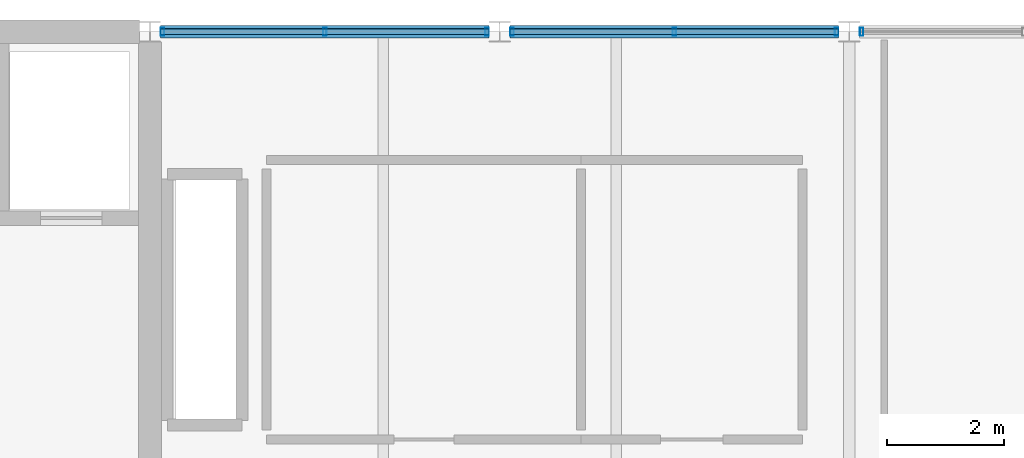
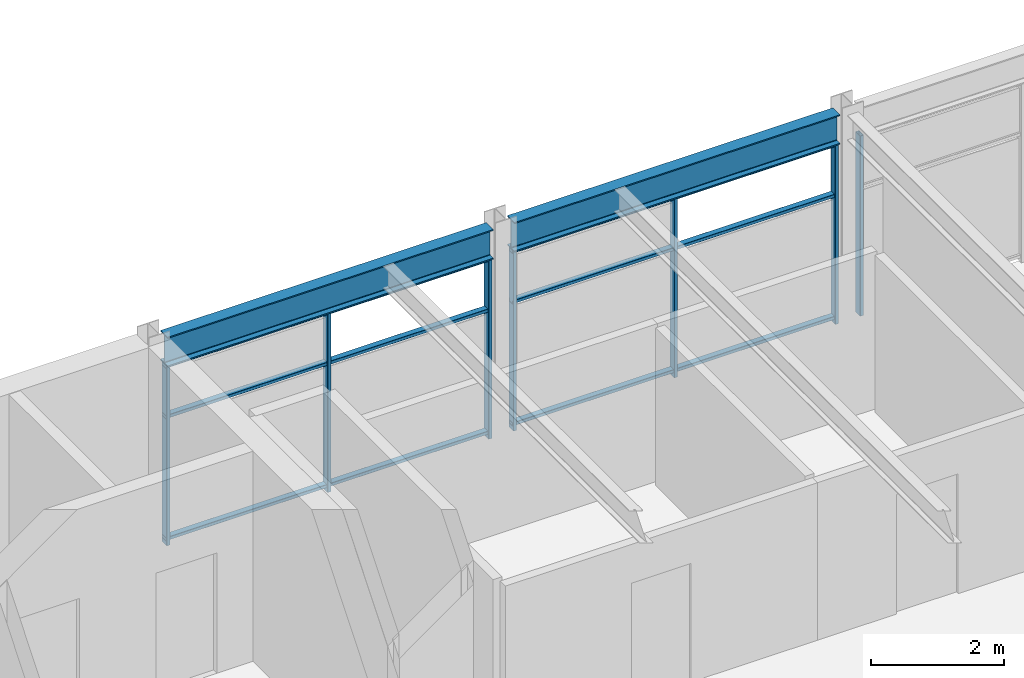
# One storey, part 9 of 32: 13 members, 2 beams, 3 elements without a shape of their own.
"""IFC4 building model written with IfcOpenShell, lengths in metres."""

from ifc_helpers import new_model, si_unit, direction, frame, origin, origin_2d, place, context, subcontext, project, spatial, hollow_rectangle, i_section, extrude, material, material_profile, profile_set, type_object, element, aggregate, save


model = new_model("IFC4")

# Units and contexts
model_context = context("Model", 3, precision=1e-05, world=origin(), true_north=direction((0.0, 1.0)))
body_context = subcontext(model_context, "Body", "Model", "MODEL_VIEW")
ifc_project = project(units=[si_unit("LENGTHUNIT", "METRE"), si_unit("AREAUNIT", "SQUARE_METRE"), si_unit("VOLUMEUNIT", "CUBIC_METRE"), si_unit("PLANEANGLEUNIT", "RADIAN"), si_unit("MASSUNIT", "GRAM", prefix="KILO")], contexts=[model_context])

# Site, building, storey
site_placement = place(None, origin())
site = spatial("IfcSite", under=ifc_project, at=site_placement, CompositionType="ELEMENT")
building_placement = place(site_placement, origin())
building = spatial("IfcBuilding", under=site, at=building_placement, Name="Girod Span Mobility Hub", CompositionType="ELEMENT")
storey_placement = place(building_placement, frame((0.0, 0.0, 61.60009765625)))
storey = spatial("IfcBuildingStorey", under=building, at=storey_placement, Name="L15", CompositionType="ELEMENT", Elevation=61.60009765625)

# Beams
ifc_material_1 = material(Name="Steel A992 Grade 50", Category="steel")
ifc_material_profile_1 = material_profile(ifc_material_1, i_section(OverallWidth=0.2119140625, OverallDepth=0.5439453125, WebThickness=0.01318359375, FlangeThickness=0.021240234375, FilletRadius=0.014892578125, at=origin_2d()), Name="W21X83")
ifc_profile_set_1 = profile_set([ifc_material_profile_1], Name="Steel A992 Grade 50")
beam_type = type_object("IfcBeamType", Name="BM-STL-W21X83", PredefinedType="SPANDREL", material=ifc_profile_set_1)
for number, where, z_axis, x_axis, name in (
    (1, (60.181396484375, 69.0, 3.56787109375), (1.0, 0.0, 0.0), (0.0, 1.0, 0.0), "Spandrel Beam 6-7/F-W L15"),
    (2, (66.181396484375, 69.0, 3.56787109375), (1.0, 0.0, 0.0), (0.0, 1.0, 0.0), "Spandrel Beam 6-7/F-E L15"),
):
    element("IfcBeam", number, at=place(storey_placement, frame(where, z_axis=z_axis, x_axis=x_axis)), inside=storey, type_object=beam_type, Name=name, PredefinedType="SPANDREL", context=body_context, shape_type="SweptSolid", body=[
        extrude(i_section(OverallWidth=0.2119140625, OverallDepth=0.5439453125, WebThickness=0.01318359375, FlangeThickness=0.021240234375, FilletRadius=0.014892578125, at=origin_2d()), origin(), (0.0, 0.0, 1.0), 5.63720703125),
    ])

# Curtain wall, members
ifc_material_2 = material(Name="Thermally Broken Anodised Aluminium", Category="aluminium")
curtain_wall_type = type_object("IfcCurtainWallType", Name="CW-564X330", PredefinedType="USERDEFINED", material=ifc_material_2)
curtain_wall_1_placement = place(storey_placement, origin())
curtain_wall_1 = element("IfcCurtainWall", 3, at=curtain_wall_1_placement, inside=storey, type_object=curtain_wall_type, Name="Unitised Curtain Wall CW-L15-N06W L15", ObjectType="UNITISED CURTAIN WALL", PredefinedType="USERDEFINED")
ifc_material_3 = material(Name="Thermally Broken Anodised Aluminium", Category="aluminium")
ifc_material_profile_2 = material_profile(ifc_material_3, hollow_rectangle(XDim=0.139892578125, YDim=0.06005859375, WallThickness=0.00341796875, InnerFilletRadius=0.00341796875, OuterFilletRadius=0.007080078125, at=origin_2d()), Name="CW-ML-60X140")
ifc_profile_set_2 = profile_set([ifc_material_profile_2], Name="Thermally Broken Anodised Aluminium")
member_type_1 = type_object("IfcMemberType", Name="CWM-ML-4", PredefinedType="MULLION", material=ifc_profile_set_2)
member_1_placement = place(storey_placement, frame((60.214599609375, 69.0, 0.0), z_axis=(0.0, 0.0, 1.0), x_axis=(0.0, 1.0, 0.0)))
member_1 = element("IfcMember", 4, at=member_1_placement, type_object=member_type_1, Name="Curtain Wall Mullion CW-L15-N06W-M0", PredefinedType="MULLION", context=body_context, shape_type="SweptSolid", body=[
    extrude(hollow_rectangle(XDim=0.139892578125, YDim=0.06005859375, WallThickness=0.00341796875, InnerFilletRadius=0.00341796875, OuterFilletRadius=0.007080078125, at=origin_2d()), origin(), (0.0, 0.0, 1.0), 3.2958984375),
])
member_2_placement = place(storey_placement, frame((63.0, 69.0, 0.0), z_axis=(0.0, 0.0, 1.0), x_axis=(0.0, 1.0, 0.0)))
member_2 = element("IfcMember", 5, at=member_2_placement, type_object=member_type_1, Name="Curtain Wall Mullion CW-L15-N06W-M1", PredefinedType="MULLION", context=body_context, shape_type="SweptSolid", body=[
    extrude(hollow_rectangle(XDim=0.139892578125, YDim=0.06005859375, WallThickness=0.00341796875, InnerFilletRadius=0.00341796875, OuterFilletRadius=0.007080078125, at=origin_2d()), origin(), (0.0, 0.0, 1.0), 3.2958984375),
])
member_3_placement = place(storey_placement, frame((65.785400390625, 69.0, 0.0), z_axis=(0.0, 0.0, 1.0), x_axis=(0.0, 1.0, 0.0)))
member_3 = element("IfcMember", 6, at=member_3_placement, type_object=member_type_1, Name="Curtain Wall Mullion CW-L15-N06W-M2", PredefinedType="MULLION", context=body_context, shape_type="SweptSolid", body=[
    extrude(hollow_rectangle(XDim=0.139892578125, YDim=0.06005859375, WallThickness=0.00341796875, InnerFilletRadius=0.00341796875, OuterFilletRadius=0.007080078125, at=origin_2d()), origin(), (0.0, 0.0, 1.0), 3.2958984375),
])

curtain_wall_2_placement = place(storey_placement, origin())
curtain_wall_2 = element("IfcCurtainWall", 7, at=curtain_wall_2_placement, inside=storey, type_object=curtain_wall_type, Name="Unitised Curtain Wall CW-L15-N06E L15", ObjectType="UNITISED CURTAIN WALL", PredefinedType="USERDEFINED")
member_4_placement = place(storey_placement, frame((66.214599609375, 69.0, 0.0), z_axis=(0.0, 0.0, 1.0), x_axis=(0.0, 1.0, 0.0)))
member_4 = element("IfcMember", 8, at=member_4_placement, type_object=member_type_1, Name="Curtain Wall Mullion CW-L15-N06E-M0", PredefinedType="MULLION", context=body_context, shape_type="SweptSolid", body=[
    extrude(hollow_rectangle(XDim=0.139892578125, YDim=0.06005859375, WallThickness=0.00341796875, InnerFilletRadius=0.00341796875, OuterFilletRadius=0.007080078125, at=origin_2d()), origin(), (0.0, 0.0, 1.0), 3.2958984375),
])
member_5_placement = place(storey_placement, frame((69.0, 69.0, 0.0), z_axis=(0.0, 0.0, 1.0), x_axis=(0.0, 1.0, 0.0)))
member_5 = element("IfcMember", 9, at=member_5_placement, type_object=member_type_1, Name="Curtain Wall Mullion CW-L15-N06E-M1", PredefinedType="MULLION", context=body_context, shape_type="SweptSolid", body=[
    extrude(hollow_rectangle(XDim=0.139892578125, YDim=0.06005859375, WallThickness=0.00341796875, InnerFilletRadius=0.00341796875, OuterFilletRadius=0.007080078125, at=origin_2d()), origin(), (0.0, 0.0, 1.0), 3.2958984375),
])
member_6_placement = place(storey_placement, frame((71.785400390625, 69.0, 0.0), z_axis=(0.0, 0.0, 1.0), x_axis=(0.0, 1.0, 0.0)))
member_6 = element("IfcMember", 10, at=member_6_placement, type_object=member_type_1, Name="Curtain Wall Mullion CW-L15-N06E-M2", PredefinedType="MULLION", context=body_context, shape_type="SweptSolid", body=[
    extrude(hollow_rectangle(XDim=0.139892578125, YDim=0.06005859375, WallThickness=0.00341796875, InnerFilletRadius=0.00341796875, OuterFilletRadius=0.007080078125, at=origin_2d()), origin(), (0.0, 0.0, 1.0), 3.2958984375),
])

# Curtain wall, member
curtain_wall_3_placement = place(storey_placement, origin())
curtain_wall_3 = element("IfcCurtainWall", 11, at=curtain_wall_3_placement, inside=storey, type_object=curtain_wall_type, Name="Unitised Curtain Wall CW-L15-N07W L15", ObjectType="UNITISED CURTAIN WALL", PredefinedType="USERDEFINED")
member_7_placement = place(storey_placement, frame((72.214599609375, 69.0, 0.0), z_axis=(0.0, 0.0, 1.0), x_axis=(0.0, 1.0, 0.0)))
member_7 = element("IfcMember", 12, at=member_7_placement, type_object=member_type_1, Name="Curtain Wall Mullion CW-L15-N07W-M0", PredefinedType="MULLION", context=body_context, shape_type="SweptSolid", body=[
    extrude(hollow_rectangle(XDim=0.139892578125, YDim=0.06005859375, WallThickness=0.00341796875, InnerFilletRadius=0.00341796875, OuterFilletRadius=0.007080078125, at=origin_2d()), origin(), (0.0, 0.0, 1.0), 3.2958984375),
])
aggregate(curtain_wall_3, [member_7])

# Member
ifc_material_4 = material(Name="Thermally Broken Anodised Aluminium", Category="aluminium")
ifc_material_profile_3 = material_profile(ifc_material_4, hollow_rectangle(XDim=0.10498046875, YDim=0.06005859375, WallThickness=0.00341796875, InnerFilletRadius=0.00341796875, OuterFilletRadius=0.007080078125, at=origin_2d()), Name="CW-TR-60X105")
ifc_profile_set_3 = profile_set([ifc_material_profile_3], Name="Thermally Broken Anodised Aluminium")
member_type_2 = type_object("IfcMemberType", Name="CWM-TR-4", PredefinedType="USERDEFINED", material=ifc_profile_set_3)
member_8_placement = place(storey_placement, frame((60.1826171875, 69.0, 0.10986328125), z_axis=(1.0, 0.0, 0.0), x_axis=(0.0, 1.0, 0.0)))
member_8 = element("IfcMember", 13, at=member_8_placement, type_object=member_type_2, Name="Curtain Wall Transom CW-L15-N06W-T1", ObjectType="TRANSOM", PredefinedType="USERDEFINED", context=body_context, shape_type="SweptSolid", body=[
    extrude(hollow_rectangle(XDim=0.10498046875, YDim=0.06005859375, WallThickness=0.00341796875, InnerFilletRadius=0.00341796875, OuterFilletRadius=0.007080078125, at=origin_2d()), origin(), (0.0, 0.0, 1.0), 5.634765625),
])

member_9_placement = place(storey_placement, frame((60.1826171875, 69.0, 2.343017578125), z_axis=(1.0, 0.0, 0.0), x_axis=(0.0, 1.0, 0.0)))
member_9 = element("IfcMember", 14, at=member_9_placement, type_object=member_type_2, Name="Curtain Wall Transom CW-L15-N06W-T2", ObjectType="TRANSOM", PredefinedType="USERDEFINED", context=body_context, shape_type="SweptSolid", body=[
    extrude(hollow_rectangle(XDim=0.10498046875, YDim=0.06005859375, WallThickness=0.00341796875, InnerFilletRadius=0.00341796875, OuterFilletRadius=0.007080078125, at=origin_2d()), origin(), (0.0, 0.0, 1.0), 5.634765625),
])

member_10_placement = place(storey_placement, frame((60.1826171875, 69.0, 3.265869140625), z_axis=(1.0, 0.0, 0.0), x_axis=(0.0, 1.0, 0.0)))
member_10 = element("IfcMember", 15, at=member_10_placement, type_object=member_type_2, Name="Curtain Wall Transom CW-L15-N06W-T3", ObjectType="TRANSOM", PredefinedType="USERDEFINED", context=body_context, shape_type="SweptSolid", body=[
    extrude(hollow_rectangle(XDim=0.10498046875, YDim=0.06005859375, WallThickness=0.00341796875, InnerFilletRadius=0.00341796875, OuterFilletRadius=0.007080078125, at=origin_2d()), origin(), (0.0, 0.0, 1.0), 5.634765625),
])

aggregate(curtain_wall_1, [member_1, member_2, member_3, member_8, member_9, member_10])

member_11_placement = place(storey_placement, frame((66.1826171875, 69.0, 0.10986328125), z_axis=(1.0, 0.0, 0.0), x_axis=(0.0, 1.0, 0.0)))
member_11 = element("IfcMember", 16, at=member_11_placement, type_object=member_type_2, Name="Curtain Wall Transom CW-L15-N06E-T1", ObjectType="TRANSOM", PredefinedType="USERDEFINED", context=body_context, shape_type="SweptSolid", body=[
    extrude(hollow_rectangle(XDim=0.10498046875, YDim=0.06005859375, WallThickness=0.00341796875, InnerFilletRadius=0.00341796875, OuterFilletRadius=0.007080078125, at=origin_2d()), origin(), (0.0, 0.0, 1.0), 5.634765625),
])

member_12_placement = place(storey_placement, frame((66.1826171875, 69.0, 2.343017578125), z_axis=(1.0, 0.0, 0.0), x_axis=(0.0, 1.0, 0.0)))
member_12 = element("IfcMember", 17, at=member_12_placement, type_object=member_type_2, Name="Curtain Wall Transom CW-L15-N06E-T2", ObjectType="TRANSOM", PredefinedType="USERDEFINED", context=body_context, shape_type="SweptSolid", body=[
    extrude(hollow_rectangle(XDim=0.10498046875, YDim=0.06005859375, WallThickness=0.00341796875, InnerFilletRadius=0.00341796875, OuterFilletRadius=0.007080078125, at=origin_2d()), origin(), (0.0, 0.0, 1.0), 5.634765625),
])

member_13_placement = place(storey_placement, frame((66.1826171875, 69.0, 3.265869140625), z_axis=(1.0, 0.0, 0.0), x_axis=(0.0, 1.0, 0.0)))
member_13 = element("IfcMember", 18, at=member_13_placement, type_object=member_type_2, Name="Curtain Wall Transom CW-L15-N06E-T3", ObjectType="TRANSOM", PredefinedType="USERDEFINED", context=body_context, shape_type="SweptSolid", body=[
    extrude(hollow_rectangle(XDim=0.10498046875, YDim=0.06005859375, WallThickness=0.00341796875, InnerFilletRadius=0.00341796875, OuterFilletRadius=0.007080078125, at=origin_2d()), origin(), (0.0, 0.0, 1.0), 5.634765625),
])

aggregate(curtain_wall_2, [member_4, member_5, member_6, member_11, member_12, member_13])

save(model, "model.ifc")
